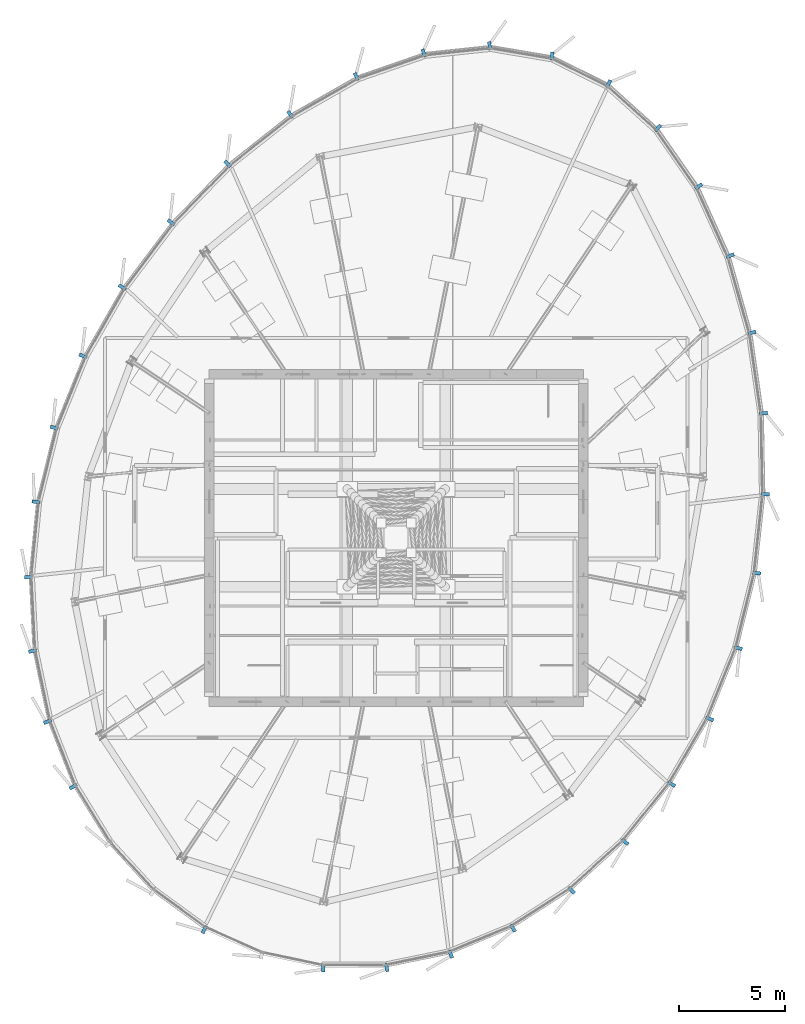
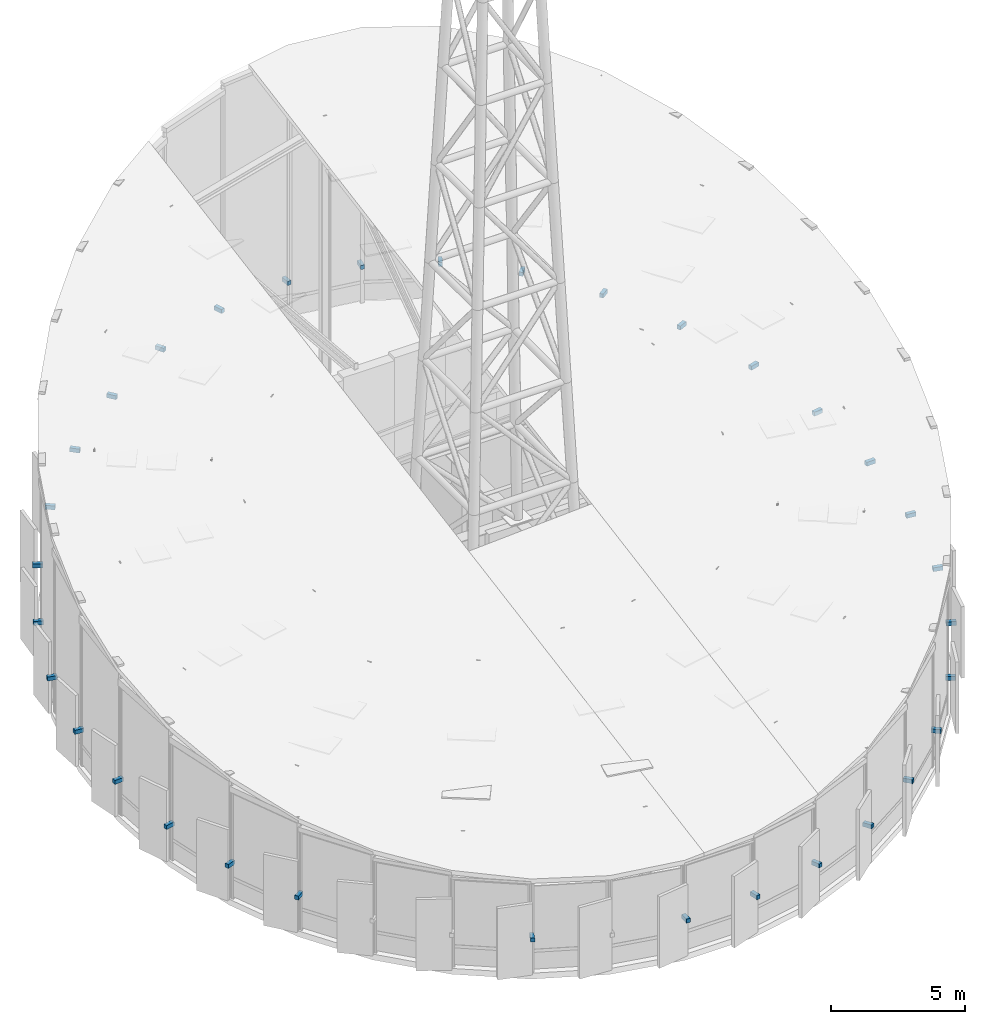
# One storey, part 35 of 36: 33 discrete accessories.
"""IFC4 building model written with IfcOpenShell, lengths in metres."""

import ifcopenshell
import ifcopenshell.guid

model = None  # the IFC model being written
_history = None  # IfcOwnerHistory: only IFC2X3 demands one
_inside = {}  # id of a spatial element -> (the spatial element, [elements in it])
_under = {}  # id of a project, library or spatial element -> (it, [spatial elements below it])
_declared = {}  # id of a project -> (the project, [libraries it declares])
_typed = {}  # id of a type object -> (the type object, [elements of that type])
_made_of = {}  # id of a material, layer set ... -> (it, [elements and type objects made of it])


def new_model(schema):
    """Start an empty IFC model of exactly this schema.

    Asked for "IFC4X3", IfcOpenShell would pick the latest addendum, in which some entities
    have other attributes; the version numbers below select the first issue.
    IFC2X3 requires an IfcOwnerHistory on every rooted entity: one is made here for all.
    """
    global model, _history
    if schema == "IFC4X3":
        model = ifcopenshell.file(schema_version=(4, 3, 0, 0))
    else:
        model = ifcopenshell.file(schema=schema)
    _inside.clear()
    _under.clear()
    _declared.clear()
    _typed.clear()
    _made_of.clear()
    _history = None
    if model.schema == "IFC2X3":
        org = make("IfcOrganization", Name="unknown")
        user = make(
            "IfcPersonAndOrganization",
            ThePerson=make("IfcPerson", FamilyName="unknown"),
            TheOrganization=org,
        )
        app = make(
            "IfcApplication",
            ApplicationDeveloper=org,
            Version="unknown",
            ApplicationFullName="unknown",
            ApplicationIdentifier="unknown",
        )
        _history = make(
            "IfcOwnerHistory",
            OwningUser=user,
            OwningApplication=app,
            ChangeAction="ADDED",
            CreationDate=0,
        )
    return model


def make(cls, **values):
    """One entity of the class cls with the attributes given. An attribute that is None is left unset."""
    return model.create_entity(
        cls, **{name: value for name, value in values.items() if value is not None}
    )


def rooted(cls, **values):
    """An entity with a GlobalId (a new one), such as an element, a storey or a relation."""
    return make(cls, GlobalId=ifcopenshell.guid.new(), OwnerHistory=_history, **values)


def si_unit(unit_type, name, prefix=None):
    """IfcSIUnit, for example si_unit("LENGTHUNIT", "METRE", prefix="MILLI")."""
    return make("IfcSIUnit", UnitType=unit_type, Prefix=prefix, Name=name)


def assignment(units):
    """IfcUnitAssignment: the units of a project."""
    return None if units is None else make("IfcUnitAssignment", Units=units)


def point(xyz):
    """IfcCartesianPoint."""
    return None if xyz is None else make("IfcCartesianPoint", Coordinates=xyz)


def direction(xyz):
    """IfcDirection."""
    return None if xyz is None else make("IfcDirection", DirectionRatios=xyz)


def frame(location, z_axis=None, x_axis=None):
    """IfcAxis2Placement3D, a coordinate frame: its origin and axes. An axis left out is left unset."""
    return make(
        "IfcAxis2Placement3D",
        Location=point(location),
        Axis=direction(z_axis),
        RefDirection=direction(x_axis),
    )


def frame_2d(location, x_axis=None):
    """IfcAxis2Placement2D, a coordinate frame in the plane: its origin and x axis."""
    return make(
        "IfcAxis2Placement2D", Location=point(location), RefDirection=direction(x_axis)
    )


def origin():
    """The frame at (0, 0, 0) with its axes left unset."""
    return frame((0.0, 0.0, 0.0))


def origin_2d():
    """The frame at (0, 0) in the plane with its x axis left unset."""
    return frame_2d((0.0, 0.0))


def place(relative_to, where):
    """IfcLocalPlacement: puts the frame where relative to a parent placement (None: the world)."""
    return make(
        "IfcLocalPlacement", PlacementRelTo=relative_to, RelativePlacement=where
    )


def context(
    kind, dimensions, precision=None, world=None, true_north=None, identifier=None
):
    """IfcGeometricRepresentationContext, for example the 3D "Model" context."""
    return make(
        "IfcGeometricRepresentationContext",
        ContextIdentifier=identifier,
        ContextType=kind,
        CoordinateSpaceDimension=dimensions,
        Precision=precision,
        WorldCoordinateSystem=world,
        TrueNorth=true_north,
    )


def subcontext(parent, identifier, kind, view, scale=None):
    """IfcGeometricRepresentationSubContext, for example "Body" below "Model"."""
    return make(
        "IfcGeometricRepresentationSubContext",
        ContextIdentifier=identifier,
        ContextType=kind,
        ParentContext=parent,
        TargetScale=scale,
        TargetView=view,
    )


def project(units=None, contexts=None):
    """IfcProject with its units and contexts."""
    return rooted(
        "IfcProject",
        Name="project",
        RepresentationContexts=contexts,
        UnitsInContext=assignment(units),
    )


def spatial(cls, under=None, at=None, **own):
    """A site, building, storey or space (cls), placed at a placement, below another one or the project."""
    s = rooted(cls, ObjectPlacement=at, **own)
    if under is not None:
        _under.setdefault(under.id(), (under, []))[1].append(s)
    return s


def profile(cls, at=None, kind="AREA", **sizes):
    """A parametric profile (cls). Its sizes go by their IFC names, for example OverallWidth=200.0."""
    return make(cls, ProfileType=kind, Position=at, **sizes)


def rectangle(**sizes):
    """IfcRectangleProfileDef."""
    return profile("IfcRectangleProfileDef", **sizes)


def extrude(swept, where, along, depth):
    """IfcExtrudedAreaSolid: the profile swept, set in the frame where, extruded along a direction by depth."""
    return make(
        "IfcExtrudedAreaSolid",
        SweptArea=swept,
        Position=where,
        ExtrudedDirection=direction(along),
        Depth=depth,
    )


def shape(context_of_items, identifier, shape_type, items):
    """IfcShapeRepresentation: the items that make up one representation, for example the "Body"."""
    return make(
        "IfcShapeRepresentation",
        ContextOfItems=context_of_items,
        RepresentationIdentifier=identifier,
        RepresentationType=shape_type,
        Items=items,
    )


def source(mapping_origin, context_of_items, identifier, shape_type, items):
    """IfcRepresentationMap: a shape defined once, which mapped items show again and again."""
    return make(
        "IfcRepresentationMap",
        MappingOrigin=mapping_origin,
        MappedRepresentation=shape(context_of_items, identifier, shape_type, items),
    )


def transform(
    local_origin,
    x_axis=None,
    y_axis=None,
    z_axis=None,
    scale=None,
    scale2=None,
    scale3=None,
    uniform=True,
):
    """IfcCartesianTransformationOperator3D, or its non-uniform kind. x_axis, y_axis, z_axis: its Axis1, 2, 3."""
    if uniform:
        return make(
            "IfcCartesianTransformationOperator3D",
            Axis1=direction(x_axis),
            Axis2=direction(y_axis),
            LocalOrigin=point(local_origin),
            Scale=scale,
            Axis3=direction(z_axis),
        )
    return make(
        "IfcCartesianTransformationOperator3DnonUniform",
        Axis1=direction(x_axis),
        Axis2=direction(y_axis),
        LocalOrigin=point(local_origin),
        Scale=scale,
        Axis3=direction(z_axis),
        Scale2=scale2,
        Scale3=scale3,
    )


def mapped(mapping_source, mapping_target):
    """IfcMappedItem: shows the shape of a source again, moved by a transform."""
    return make(
        "IfcMappedItem", MappingSource=mapping_source, MappingTarget=mapping_target
    )


def material(Name=None, Category=None):
    """IfcMaterial."""
    return make("IfcMaterial", Name=Name, Category=Category)


def made_of(thing, what):
    """Note that an element or type object is made of a material, layer set ...; save() writes the relation."""
    if what is not None:
        _made_of.setdefault(what.id(), (what, []))[1].append(thing)
    return thing


def type_object(cls, material=None, **own):
    """A type object (cls), such as IfcWallType, which elements share."""
    return made_of(rooted(cls, **own), material)


def element(
    cls,
    number,
    at=None,
    inside=None,
    cuts=None,
    type_object=None,
    material=None,
    context=None,
    identifier="Body",
    shape_type=None,
    held_by="IfcProductDefinitionShape",
    body=None,
    shapes=None,
    **own,
):
    """One element of the class cls, such as IfcWall. Its Tag is "e" and its number.

    at: its placement. inside: the storey or other place that contains it. cuts: it is an
    opening in that element (IfcRelVoidsElement). A single representation is given by context,
    identifier, shape_type and body (its items); several are given by shapes. held_by: the class
    of the entity that holds the representations. save() writes the other relations.
    """
    e = rooted(cls, Tag="e%d" % number, ObjectPlacement=at, **own)
    if body is not None:
        shapes = [shape(context, identifier, shape_type, body)]
    if shapes is not None:
        e.Representation = make(held_by, Representations=shapes)
    if inside is not None:
        _inside.setdefault(inside.id(), (inside, []))[1].append(e)
    if cuts is not None:
        rooted(
            "IfcRelVoidsElement", RelatingBuildingElement=cuts, RelatedOpeningElement=e
        )
    if type_object is not None:
        _typed.setdefault(type_object.id(), (type_object, []))[1].append(e)
    return made_of(e, material)


def aggregate(whole, parts):
    """IfcRelAggregates: a whole, such as a stair, and the parts it consists of."""
    return rooted("IfcRelAggregates", RelatingObject=whole, RelatedObjects=parts)


def save(model, path):
    """Write the relations noted so far, then the file.

    IfcRelAggregates (storeys below a building ...), IfcRelContainedInSpatialStructure (elements
    in a storey), IfcRelDefinesByType, IfcRelAssociatesMaterial and IfcRelDeclares: one each for
    every whole, place, type object, material and project.
    """
    for whole, parts in _under.values():
        aggregate(whole, parts)
    for where, things in _inside.values():
        rooted(
            "IfcRelContainedInSpatialStructure",
            RelatedElements=things,
            RelatingStructure=where,
        )
    for kind, things in _typed.values():
        rooted("IfcRelDefinesByType", RelatedObjects=things, RelatingType=kind)
    for what, things in _made_of.values():
        rooted("IfcRelAssociatesMaterial", RelatedObjects=things, RelatingMaterial=what)
    for by, libraries in _declared.values():
        rooted("IfcRelDeclares", RelatingContext=by, RelatedDefinitions=libraries)
    model.write(path)


model = new_model("IFC4")

# Units and contexts
model_context = context("Model", 3, precision=1e-05, world=origin(), true_north=direction((0.0, 1.0)))
body_context = subcontext(model_context, "Body", "Model", "MODEL_VIEW")
ifc_project = project(units=[si_unit("LENGTHUNIT", "METRE"), si_unit("AREAUNIT", "SQUARE_METRE"), si_unit("VOLUMEUNIT", "CUBIC_METRE"), si_unit("PLANEANGLEUNIT", "RADIAN"), si_unit("MASSUNIT", "GRAM", prefix="KILO"), si_unit("THERMODYNAMICTEMPERATUREUNIT", "KELVIN")], contexts=[model_context])

# Site, building, storey
site_placement = place(None, origin())
site = spatial("IfcSite", under=ifc_project, at=site_placement, CompositionType="ELEMENT")
building_placement = place(site_placement, origin())
building = spatial("IfcBuilding", under=site, at=building_placement, Name="Kethvar Cultural Tower", CompositionType="ELEMENT")
storey_placement = place(building_placement, frame((0.0, 0.0, 324.300048828125)))
storey = spatial("IfcBuildingStorey", under=building, at=storey_placement, Name="L86", CompositionType="ELEMENT", Elevation=324.300048828125)

# Discrete accessories
ifc_material = material(Name="Steel S355J2", Category="steel")
discrete_accessory_type = type_object("IfcDiscreteAccessoryType", Name="Steel Fin Bracket BRK-01", PredefinedType="BRACKET", material=ifc_material)
shared_shape = source(origin(), body_context, "Body", "SweptSolid", [
    extrude(rectangle(XDim=0.3798828125, YDim=0.159912109375, at=origin_2d()), origin(), (0.0, 0.0, 1.0), 0.179931640625),
])
for number, where, z_axis, x_axis, name in (
    (1, (54.118896484375, 50.465576171875, 1.55517578125), (0.0, 0.0, 1.0), (0.166768746716, 0.985996037071, 0.0), "L86 Terracotta Fin Bracket 1.1"),
    (2, (51.191162109375, 50.94873046875, 1.55517578125), (0.0, 0.0, 1.0), (-0.105569866657, 0.99441188813, 0.0), "L86 Terracotta Fin Bracket 2.1"),
    (3, (48.09228515625, 50.609619140625, 1.55517578125), (0.0, 0.0, 1.0), (-0.32837212737, 0.94454843495, 0.0), "L86 Terracotta Fin Bracket 3.1"),
    (4, (44.92919921875, 49.50146484375, 1.55517578125), (0.0, 0.0, 1.0), (-0.495307056088, 0.868717975058, 0.0), "L86 Terracotta Fin Bracket 4.1"),
    (5, (41.8173828125, 47.719970703125, 1.55517578125), (0.0, 0.0, 1.0), (-0.61991599167, 0.784668186733, 0.0), "L86 Terracotta Fin Bracket 5.1"),
    (6, (38.873779296875, 45.38720703125, 1.55517578125), (0.0, 0.0, 1.0), (-0.717275544155, 0.696789633789, 0.0), "L86 Terracotta Fin Bracket 6.1"),
    (7, (36.207763671875, 42.635498046875, 1.55517578125), (0.0, 0.0, 1.0), (-0.798004853043, 0.602651022168, 0.0), "L86 Terracotta Fin Bracket 7.1"),
    (8, (33.9140625, 39.589111328125, 1.55517578125), (0.0, 0.0, 1.0), (-0.867765453369, 0.496973961028, 0.0), "L86 Terracotta Fin Bracket 8.1"),
    (9, (32.06591796875, 36.35009765625, 1.55517578125), (0.0, 0.0, 1.0), (-0.926791059146, 0.375577332499, 0.0), "L86 Terracotta Fin Bracket 9.1"),
    (10, (30.708251953125, 32.9833984375, 1.55517578125), (0.0, 0.0, 1.0), (-0.970716481578, 0.240228042477, 0.0), "L86 Terracotta Fin Bracket 10.1"),
    (11, (29.85205078125, 29.497314453125, 1.55517578125), (0.0, 0.0, 1.0), (-0.995210353395, 0.097756598221, 0.0), "L86 Terracotta Fin Bracket 11.1"),
    (12, (29.5107421875, 25.958984375, 1.55517578125), (0.0, 0.0, 1.0), (-0.998701636071, -0.050941555809, 0.0), "L86 Terracotta Fin Bracket 12.1"),
    (13, (29.6953125, 22.476318359375, 1.55517578125), (0.0, 0.0, 1.0), (-0.978652704312, -0.205521007059, 0.0), "L86 Terracotta Fin Bracket 13.1"),
    (14, (30.399658203125, 19.1552734375, 1.55517578125), (0.0, 0.0, 1.0), (-0.931437403359, -0.363901585079, 0.0), "L86 Terracotta Fin Bracket 14.1"),
    (15, (31.60302734375, 16.096923828125, 1.55517578125), (0.0, 0.0, 1.0), (-0.852640164354, -0.522498564716, 0.0), "L86 Terracotta Fin Bracket 15.1"),
    (16, (37.770263671875, 9.373046875, 1.55517578125), (0.0, 0.0, 1.0), (-0.408171134544, -0.912905430439, 0.0), "L86 Terracotta Fin Bracket 18.1"),
    (17, (43.359619140625, 7.575927734375, 1.55517578125), (0.0, 0.0, 1.0), (0.001745328366, -0.999998476913, 0.0), "L86 Terracotta Fin Bracket 20.1"),
    (18, (46.354248046875, 7.58984375, 1.55517578125), (0.0, 0.0, 1.0), (0.20159079796, -0.979469831173, 0.0), "L86 Terracotta Fin Bracket 21.1"),
    (19, (49.3623046875, 8.21728515625, 1.55517578125), (0.0, 0.0, 1.0), (0.382683432365, -0.923879532511, 0.0), "L86 Terracotta Fin Bracket 22.1"),
    (20, (52.2919921875, 9.439208984375, 1.55517578125), (0.0, 0.0, 1.0), (0.539652703519, -0.841887735737, 0.0), "L86 Terracotta Fin Bracket 23.1"),
    (21, (55.05517578125, 11.218505859375, 1.55517578125), (0.0, 0.0, 1.0), (0.670944452394, -0.741507614123, 0.0), "L86 Terracotta Fin Bracket 24.1"),
    (22, (57.56787109375, 13.50146484375, 1.55517578125), (0.0, 0.0, 1.0), (0.778023900658, -0.628234677493, 0.0), "L86 Terracotta Fin Bracket 25.1"),
    (23, (59.75390625, 16.218994140625, 1.55517578125), (0.0, 0.0, 1.0), (0.862601975623, -0.505883219381, 0.0), "L86 Terracotta Fin Bracket 26.1"),
    (24, (61.546630859375, 19.2880859375, 1.55517578125), (0.0, 0.0, 1.0), (0.926528630872, -0.376224263139, 0.0), "L86 Terracotta Fin Bracket 27.1"),
    (25, (62.891845703125, 22.616455078125, 1.55517578125), (0.0, 0.0, 1.0), (0.970548534222, -0.240905671828, 0.0), "L86 Terracotta Fin Bracket 28.1"),
    (26, (63.7607421875, 26.140869140625, 1.55517578125), (0.0, 0.0, 1.0), (0.994150963972, -0.107999355706, 0.0), "L86 Terracotta Fin Bracket 29.1"),
    (27, (64.158203125, 29.848876953125, 1.55517578125), (0.0, 0.0, 1.0), (0.999828870815, 0.018499434735, 0.0), "L86 Terracotta Fin Bracket 30.1"),
    (28, (64.08251953125, 33.66162109375, 1.55517578125), (0.0, 0.0, 1.0), (0.989850775563, 0.142110668555, 0.0), "L86 Terracotta Fin Bracket 31.1"),
    (29, (63.5322265625, 37.453125, 1.55517578125), (0.0, 0.0, 1.0), (0.962738960451, 0.270432420449, 0.0), "L86 Terracotta Fin Bracket 32.1"),
    (30, (62.51025390625, 41.0673828125, 1.55517578125), (0.0, 0.0, 1.0), (0.91133143995, 0.411673422216, 0.0), "L86 Terracotta Fin Bracket 33.1"),
    (31, (61.02685546875, 44.33203125, 1.55517578125), (0.0, 0.0, 1.0), (0.820850271661, 0.571143442153, 0.0), "L86 Terracotta Fin Bracket 34.1"),
    (32, (59.1044921875, 47.07763671875, 1.55517578125), (0.0, 0.0, 1.0), (0.670038029434, 0.742326773808, 0.0), "L86 Terracotta Fin Bracket 35.1"),
    (33, (56.782470703125, 49.157470703125, 1.55517578125), (0.0, 0.0, 1.0), (0.444635179185, 0.895711760239, 0.0), "L86 Terracotta Fin Bracket 36.1"),
):
    element("IfcDiscreteAccessory", number, at=place(storey_placement, frame(where, z_axis=z_axis, x_axis=x_axis)), inside=storey, type_object=discrete_accessory_type, Name=name, PredefinedType="BRACKET", context=body_context, shape_type="MappedRepresentation", body=[
        mapped(shared_shape, transform((0.0, 0.0, 0.0), scale=1.0)),
    ])

save(model, "model.ifc")
